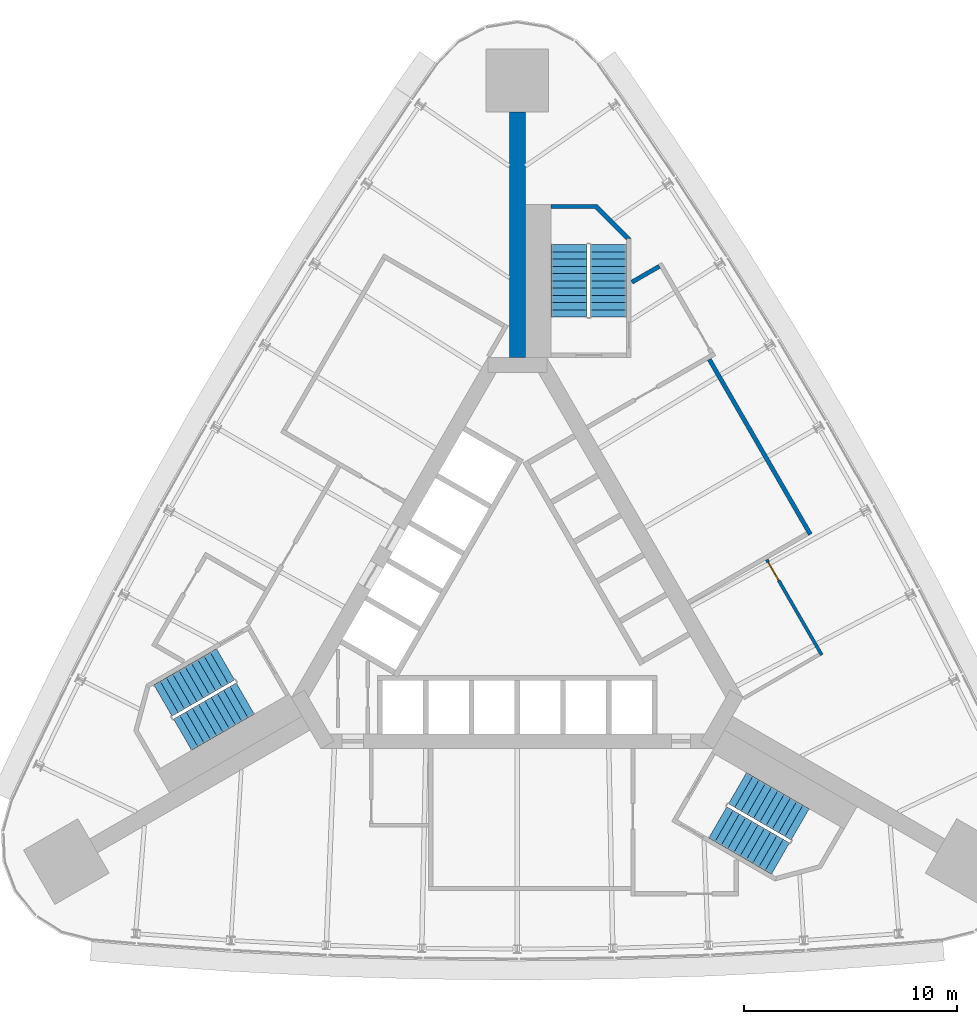
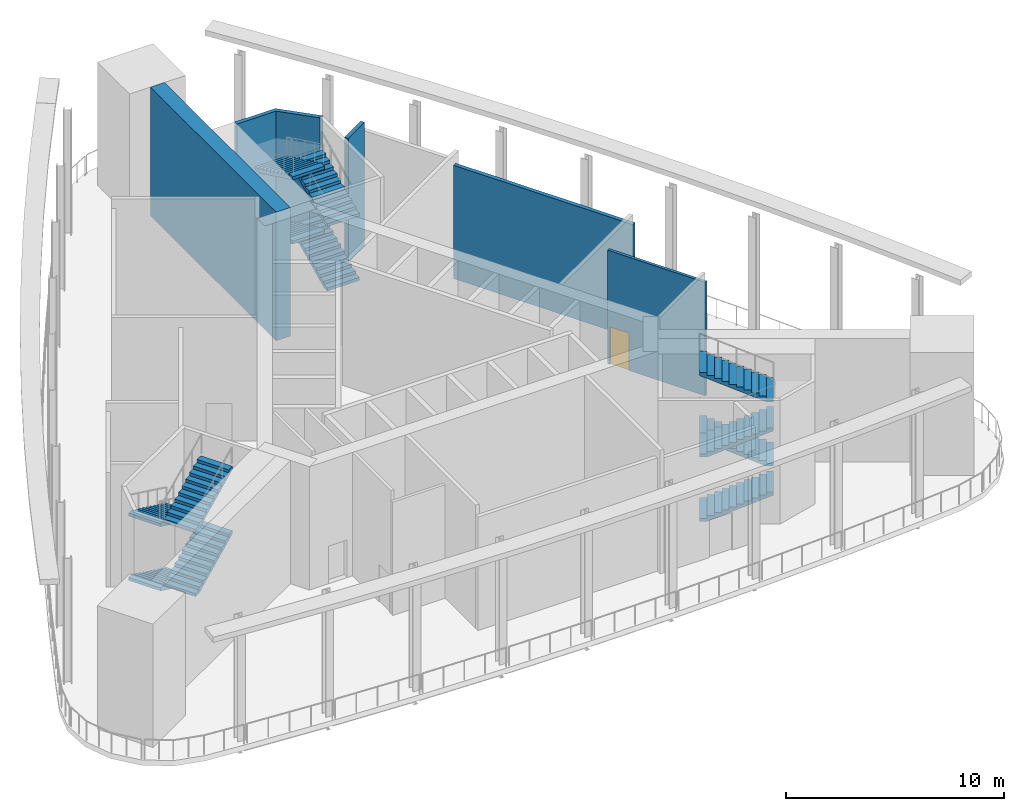
# One storey, part 4 of 7: 12 stair flights, 5 walls, 1 door, 1 opening, 3 elements without a shape of their own.
"""IFC4 building model written with IfcOpenShell, lengths in metres."""

from ifc_helpers import new_model, si_unit, direction, frame, frame_2d, origin, place, context, subcontext, project, spatial, polyline, rectangle, outline, extrude, material, layer, layer_set, type_object, element, fill, aggregate, save


model = new_model("IFC4")

# Units and contexts
model_context = context("Model", 3, precision=1e-05, world=origin(), true_north=direction((0.0, 1.0)))
body_context = subcontext(model_context, "Body", "Model", "MODEL_VIEW")
ifc_project = project(units=[si_unit("LENGTHUNIT", "METRE"), si_unit("AREAUNIT", "SQUARE_METRE"), si_unit("VOLUMEUNIT", "CUBIC_METRE"), si_unit("PLANEANGLEUNIT", "RADIAN"), si_unit("MASSUNIT", "GRAM", prefix="KILO")], contexts=[model_context])

# Site, building, storey
site_placement = place(None, origin())
site = spatial("IfcSite", under=ifc_project, at=site_placement, CompositionType="ELEMENT")
building_placement = place(site_placement, origin())
building = spatial("IfcBuilding", under=site, at=building_placement, Name="Noor Cloister Tower", CompositionType="ELEMENT")
storey_placement = place(building_placement, frame((0.0, 0.0, 127.5)))
storey = spatial("IfcBuildingStorey", under=building, at=storey_placement, Name="L33", CompositionType="ELEMENT", Elevation=127.5)

# Walls
ifc_material_1 = material(Name="Concrete C80/95", Category="concrete")
ifc_layer_1 = layer(ifc_material_1, 0.75)
ifc_layer_set_1 = layer_set([ifc_layer_1], Name="Buttress wall 750 C80/95")
wall_type_1 = type_object("IfcWallType", Name="Buttress wall 750 C80/95", PredefinedType="SHEAR", material=ifc_layer_set_1)
wall_1_placement = place(storey_placement, frame((0.0, 11.456298828125, -0.300048828125), z_axis=(0.0, 0.0, 1.0), x_axis=(0.0, 1.0, 0.0)))
element("IfcWall", 1, at=wall_1_placement, inside=storey, type_object=wall_type_1, Name="Buttress wall N L33", PredefinedType="SHEAR", context=body_context, shape_type="SweptSolid", body=[
    extrude(rectangle(XDim=11.538818359375, YDim=0.75, at=frame_2d((5.76953125, 0.0))), origin(), (0.0, 0.0, 1.0), 7.199951171875),
])
ifc_material_2 = material(Name="Concrete C80/95", Category="concrete")
wall_type_2 = type_object("IfcWallType", Name="Stair far end wall C80/95", PredefinedType="SHEAR", material=ifc_material_2)
wall_2_placement = place(storey_placement, frame((0.0, 0.0, -0.300048828125)))
element("IfcWall", 2, at=wall_2_placement, inside=storey, type_object=wall_type_2, Name="Stair enclosure wall ST1 L33 far end", PredefinedType="SHEAR", context=body_context, shape_type="SweptSolid", body=[
    extrude(outline(polyline([(5.335693359375, 17.056396484375), (3.735595703125, 18.656494140625), (1.585693359375, 18.656494140625), (1.585693359375, 18.456298828125), (3.65283203125, 18.456298828125), (5.135498046875, 16.9736328125), (5.135498046875, 17.056396484375), (5.135498046875, 17.056396484375), (5.135498046875, 17.056396484375), (5.135498046875, 17.056396484375), (5.135498046875, 17.056396484375), (5.135498046875, 17.056396484375), (5.135498046875, 17.056396484375), (5.135498046875, 17.056396484375), (5.135498046875, 17.056396484375), (5.135498046875, 17.056396484375), (5.135498046875, 17.056396484375), (5.135498046875, 17.056396484375), (5.135498046875, 17.056396484375), (5.135498046875, 17.056396484375), (5.135498046875, 17.056396484375), (5.135498046875, 17.056396484375), (5.135498046875, 17.056396484375), (5.335693359375, 17.056396484375)])), origin(), (0.0, 0.0, 1.0), 7.199951171875),
])

# Wall, opening, door
ifc_material_3 = material(Name="Fire-rated gypsum board partition on steel studs, 150 mm", Category="steel")
ifc_layer_2 = layer(ifc_material_3, 0.14990234375)
ifc_layer_set_2 = layer_set([ifc_layer_2], Name="Upper floor corridor wall 150")
wall_type_3 = type_object("IfcWallType", Name="Upper floor corridor wall 150", PredefinedType="PARTITIONING", material=ifc_layer_set_2)
wall_3_placement = place(storey_placement, frame((11.720458984375, 1.955810546875, 0.0), z_axis=(0.0, 0.0, 1.0), x_axis=(0.500020560727, -0.866013532718, 0.0)))
wall_3 = element("IfcWall", 3, at=wall_3_placement, inside=storey, type_object=wall_type_3, Name="Upper floor corridor wall 150 L33 020", PredefinedType="PARTITIONING", context=body_context, shape_type="SweptSolid", body=[
    extrude(rectangle(XDim=5.175048828125, YDim=0.14990234375, at=frame_2d((2.58740234375, 0.0))), origin(), (0.0, 0.0, 1.0), 6.346923828125),
])
opening_placement = place(wall_3_placement, frame((0.12890625, 0.0, 0.0)))
opening = element("IfcOpeningElement", 4, at=opening_placement, cuts=wall_3, Name="Opening L33-009", PredefinedType="OPENING", context=body_context, shape_type="SweptSolid", body=[
    extrude(rectangle(XDim=1.0, YDim=2.10009765625, at=frame_2d((0.5, 1.050048828125))), frame((0.0, 0.0849609375, 0.0), z_axis=(0.0, -1.0, 0.0), x_axis=(1.0, 0.0, 0.0)), (0.0, 0.0, 1.0), 0.169921875),
])
ifc_material_4 = material(Name="Timber door leaf with steel frame", Category="steel")
door_type = type_object("IfcDoorType", Name="Staff room door 1000", OperationType="NOTDEFINED", PredefinedType="DOOR", material=ifc_material_4)
door_placement = place(opening_placement, origin())
door = element("IfcDoor", 5, at=door_placement, inside=storey, type_object=door_type, Name="Staff room door 1000 L33-009", OperationType="SINGLE_SWING_LEFT", OverallHeight=2.10009765625, OverallWidth=1.0, PredefinedType="DOOR", context=body_context, shape_type="SweptSolid", body=[
    extrude(rectangle(XDim=1.0, YDim=2.10009765625, at=frame_2d((0.5, 1.050048828125))), frame((0.0, 0.02490234375, 0.0), z_axis=(0.0, -1.0, 0.0), x_axis=(1.0, 0.0, 0.0)), (0.0, 0.0, 1.0), 0.050048828125),
])
fill(opening, door)

# Walls
ifc_material_5 = material(Name="Concrete block wall, 200 mm", Category="concrete")
ifc_layer_3 = layer(ifc_material_5, 0.199951171875)
ifc_layer_set_3 = layer_set([ifc_layer_3], Name="Upper floor plant room wall 200")
wall_type_4 = type_object("IfcWallType", Name="Upper floor plant room wall 200", PredefinedType="PARTITIONING", material=ifc_layer_set_3)
wall_4_placement = place(storey_placement, frame((9.023681640625, 11.36865234375, 0.0), z_axis=(0.0, 0.0, 1.0), x_axis=(0.499997557548, -0.86602681393, 0.0)))
element("IfcWall", 6, at=wall_4_placement, inside=storey, type_object=wall_type_4, Name="Upper floor plant room wall 200 L33 016", PredefinedType="PARTITIONING", context=body_context, shape_type="SweptSolid", body=[
    extrude(rectangle(XDim=9.5, YDim=0.199951171875, at=frame_2d((4.75, 0.0))), origin(), (0.0, 0.0, 1.0), 6.346923828125),
])
wall_5_placement = place(storey_placement, frame((6.6748046875, 15.738525390625, 0.0), z_axis=(0.0, 0.0, 1.0), x_axis=(-0.866024464444, -0.500001626982, 0.0)))
element("IfcWall", 7, at=wall_5_placement, inside=storey, type_object=wall_type_4, Name="Upper floor plant room wall 200 L33 018", PredefinedType="PARTITIONING", context=body_context, shape_type="SweptSolid", body=[
    extrude(rectangle(XDim=1.48876953125, YDim=0.199951171875, at=frame_2d((0.744384765625, 0.0))), origin(), (0.0, 0.0, 1.0), 6.89990234375),
])

# Stair, stair flights
ifc_material_6 = material(Name="Concrete C40/50", Category="concrete")
stair_type = type_object("IfcStairType", Name="Exit stair 44 risers", PredefinedType="HALF_TURN_STAIR", material=ifc_material_6)
stair_1_placement = place(storey_placement, origin())
stair_1 = element("IfcStair", 8, at=stair_1_placement, inside=storey, type_object=stair_type, Name="Exit stair ST1 L33", PredefinedType="HALF_TURN_STAIR")
ifc_material_7 = material(Name="Concrete C40/50", Category="concrete")
stair_flight_type = type_object("IfcStairFlightType", Name="Exit stair flight", PredefinedType="STRAIGHT", material=ifc_material_7)
stair_flight_1_placement = place(storey_placement, frame((4.28564453125, 13.3564453125, 0.0), z_axis=(0.0, 0.0, 1.0), x_axis=(0.0, 1.0, 0.0)))
stair_flight_1 = element("IfcStairFlight", 9, at=stair_flight_1_placement, type_object=stair_flight_type, Name="ST1 flight 1", NumberOfRisers=11, NumberOfTreads=10, PredefinedType="STRAIGHT", RiserHeight=0.163636364, TreadLength=0.34, context=body_context, shape_type="SweptSolid", body=[
    extrude(outline(polyline([(0.0, 0.0), (0.0, 0.16357421875), (0.340087890625, 0.16357421875), (0.340087890625, 0.327392578125), (0.679931640625, 0.327392578125), (0.679931640625, 0.490966796875), (1.02001953125, 0.490966796875), (1.02001953125, 0.654541015625), (1.360107421875, 0.654541015625), (1.360107421875, 0.818115234375), (1.699951171875, 0.818115234375), (1.699951171875, 0.98193359375), (2.0400390625, 0.98193359375), (2.0400390625, 1.1455078125), (2.3798828125, 1.1455078125), (2.3798828125, 1.30908203125), (2.719970703125, 1.30908203125), (2.719970703125, 1.47265625), (3.06005859375, 1.47265625), (3.06005859375, 1.636474609375), (3.39990234375, 1.636474609375), (3.39990234375, 1.800048828125), (3.39990234375, 1.469970703125), (0.345703125, 0.0), (0.0, 0.0)])), frame((0.0, 0.85009765625, 0.0), z_axis=(0.0, -1.0, 0.0), x_axis=(1.0, 0.0, 0.0)), (0.0, 0.0, 1.0), 1.699951171875),
])
stair_flight_2_placement = place(storey_placement, frame((2.435546875, 16.75634765625, 1.800048828125), z_axis=(0.0, 0.0, 1.0), x_axis=(0.0, -1.0, 0.0)))
stair_flight_2 = element("IfcStairFlight", 10, at=stair_flight_2_placement, type_object=stair_flight_type, Name="ST1 flight 2", NumberOfRisers=11, NumberOfTreads=10, PredefinedType="STRAIGHT", RiserHeight=0.163636364, TreadLength=0.34, context=body_context, shape_type="SweptSolid", body=[
    extrude(outline(polyline([(0.0, 0.0), (0.0, 0.16357421875), (0.340087890625, 0.16357421875), (0.340087890625, 0.327392578125), (0.679931640625, 0.327392578125), (0.679931640625, 0.490966796875), (1.02001953125, 0.490966796875), (1.02001953125, 0.654541015625), (1.360107421875, 0.654541015625), (1.360107421875, 0.818115234375), (1.699951171875, 0.818115234375), (1.699951171875, 0.98193359375), (2.0400390625, 0.98193359375), (2.0400390625, 1.1455078125), (2.3798828125, 1.1455078125), (2.3798828125, 1.30908203125), (2.719970703125, 1.30908203125), (2.719970703125, 1.47265625), (3.06005859375, 1.47265625), (3.06005859375, 1.636474609375), (3.39990234375, 1.636474609375), (3.39990234375, 1.800048828125), (3.39990234375, 1.469970703125), (0.345703125, 0.0), (0.0, 0.0)])), frame((0.0, 0.85009765625, 0.0), z_axis=(0.0, -1.0, 0.0), x_axis=(1.0, 0.0, 0.0)), (0.0, 0.0, 1.0), 1.699951171875),
])
stair_flight_3_placement = place(storey_placement, frame((4.28564453125, 13.3564453125, 3.60009765625), z_axis=(0.0, 0.0, 1.0), x_axis=(0.0, 1.0, 0.0)))
stair_flight_3 = element("IfcStairFlight", 11, at=stair_flight_3_placement, type_object=stair_flight_type, Name="ST1 flight 3", NumberOfRisers=11, NumberOfTreads=10, PredefinedType="STRAIGHT", RiserHeight=0.163636364, TreadLength=0.34, context=body_context, shape_type="SweptSolid", body=[
    extrude(outline(polyline([(0.0, 0.0), (0.0, 0.16357421875), (0.340087890625, 0.16357421875), (0.340087890625, 0.327392578125), (0.679931640625, 0.327392578125), (0.679931640625, 0.490966796875), (1.02001953125, 0.490966796875), (1.02001953125, 0.654541015625), (1.360107421875, 0.654541015625), (1.360107421875, 0.818115234375), (1.699951171875, 0.818115234375), (1.699951171875, 0.98193359375), (2.0400390625, 0.98193359375), (2.0400390625, 1.1455078125), (2.3798828125, 1.1455078125), (2.3798828125, 1.30908203125), (2.719970703125, 1.30908203125), (2.719970703125, 1.47265625), (3.06005859375, 1.47265625), (3.06005859375, 1.636474609375), (3.39990234375, 1.636474609375), (3.39990234375, 1.800048828125), (3.39990234375, 1.469970703125), (0.345703125, 0.0), (0.0, 0.0)])), frame((0.0, 0.85009765625, 0.0), z_axis=(0.0, -1.0, 0.0), x_axis=(1.0, 0.0, 0.0)), (0.0, 0.0, 1.0), 1.699951171875),
])
stair_flight_4_placement = place(storey_placement, frame((2.435546875, 16.75634765625, 5.39990234375), z_axis=(0.0, 0.0, 1.0), x_axis=(0.0, -1.0, 0.0)))
stair_flight_4 = element("IfcStairFlight", 12, at=stair_flight_4_placement, type_object=stair_flight_type, Name="ST1 flight 4", NumberOfRisers=11, NumberOfTreads=10, PredefinedType="STRAIGHT", RiserHeight=0.163636364, TreadLength=0.34, context=body_context, shape_type="SweptSolid", body=[
    extrude(outline(polyline([(0.0, 0.0), (0.0, 0.16357421875), (0.340087890625, 0.16357421875), (0.340087890625, 0.327392578125), (0.679931640625, 0.327392578125), (0.679931640625, 0.490966796875), (1.02001953125, 0.490966796875), (1.02001953125, 0.654541015625), (1.360107421875, 0.654541015625), (1.360107421875, 0.818115234375), (1.699951171875, 0.818115234375), (1.699951171875, 0.98193359375), (2.0400390625, 0.98193359375), (2.0400390625, 1.1455078125), (2.3798828125, 1.1455078125), (2.3798828125, 1.30908203125), (2.719970703125, 1.30908203125), (2.719970703125, 1.47265625), (3.06005859375, 1.47265625), (3.06005859375, 1.636474609375), (3.39990234375, 1.636474609375), (3.39990234375, 1.800048828125), (3.39990234375, 1.469970703125), (0.345703125, 0.0), (0.0, 0.0)])), frame((0.0, 0.85009765625, 0.0), z_axis=(0.0, -1.0, 0.0), x_axis=(1.0, 0.0, 0.0)), (0.0, 0.0, 1.0), 1.699951171875),
])
aggregate(stair_1, [stair_flight_1, stair_flight_2, stair_flight_3, stair_flight_4])

stair_2_placement = place(storey_placement, origin())
stair_2 = element("IfcStair", 13, at=stair_2_placement, inside=storey, type_object=stair_type, Name="Exit stair ST2 L33", PredefinedType="HALF_TURN_STAIR")
stair_flight_5_placement = place(storey_placement, frame((-13.709716796875, -2.966796875, 0.0), z_axis=(0.0, 0.0, 1.0), x_axis=(-0.866025403784, -0.5, 0.0)))
stair_flight_5 = element("IfcStairFlight", 14, at=stair_flight_5_placement, type_object=stair_flight_type, Name="ST2 flight 1", NumberOfRisers=11, NumberOfTreads=10, PredefinedType="STRAIGHT", RiserHeight=0.163636364, TreadLength=0.34, context=body_context, shape_type="SweptSolid", body=[
    extrude(outline(polyline([(0.0, 0.0), (0.0, 0.16357421875), (0.340087890625, 0.16357421875), (0.340087890625, 0.327392578125), (0.679931640625, 0.327392578125), (0.679931640625, 0.490966796875), (1.02001953125, 0.490966796875), (1.02001953125, 0.654541015625), (1.360107421875, 0.654541015625), (1.360107421875, 0.818115234375), (1.699951171875, 0.818115234375), (1.699951171875, 0.98193359375), (2.0400390625, 0.98193359375), (2.0400390625, 1.1455078125), (2.3798828125, 1.1455078125), (2.3798828125, 1.30908203125), (2.719970703125, 1.30908203125), (2.719970703125, 1.47265625), (3.06005859375, 1.47265625), (3.06005859375, 1.636474609375), (3.39990234375, 1.636474609375), (3.39990234375, 1.800048828125), (3.39990234375, 1.469970703125), (0.345703125, 0.0), (0.0, 0.0)])), frame((0.0, 0.85009765625, 0.0), z_axis=(0.0, -1.0, 0.0), x_axis=(1.0, 0.0, 0.0)), (0.0, 0.0, 1.0), 1.699951171875),
])
stair_flight_6_placement = place(storey_placement, frame((-15.729248046875, -6.268798828125, 1.800048828125), z_axis=(0.0, 0.0, 1.0), x_axis=(0.866025403784, 0.5, 0.0)))
stair_flight_6 = element("IfcStairFlight", 15, at=stair_flight_6_placement, type_object=stair_flight_type, Name="ST2 flight 2", NumberOfRisers=11, NumberOfTreads=10, PredefinedType="STRAIGHT", RiserHeight=0.163636364, TreadLength=0.34, context=body_context, shape_type="SweptSolid", body=[
    extrude(outline(polyline([(0.0, 0.0), (0.0, 0.16357421875), (0.340087890625, 0.16357421875), (0.340087890625, 0.327392578125), (0.679931640625, 0.327392578125), (0.679931640625, 0.490966796875), (1.02001953125, 0.490966796875), (1.02001953125, 0.654541015625), (1.360107421875, 0.654541015625), (1.360107421875, 0.818115234375), (1.699951171875, 0.818115234375), (1.699951171875, 0.98193359375), (2.0400390625, 0.98193359375), (2.0400390625, 1.1455078125), (2.3798828125, 1.1455078125), (2.3798828125, 1.30908203125), (2.719970703125, 1.30908203125), (2.719970703125, 1.47265625), (3.06005859375, 1.47265625), (3.06005859375, 1.636474609375), (3.39990234375, 1.636474609375), (3.39990234375, 1.800048828125), (3.39990234375, 1.469970703125), (0.345703125, 0.0), (0.0, 0.0)])), frame((0.0, 0.85009765625, 0.0), z_axis=(0.0, -1.0, 0.0), x_axis=(1.0, 0.0, 0.0)), (0.0, 0.0, 1.0), 1.699951171875),
])
stair_flight_7_placement = place(storey_placement, frame((-13.709716796875, -2.966796875, 3.60009765625), z_axis=(0.0, 0.0, 1.0), x_axis=(-0.866025403784, -0.5, 0.0)))
stair_flight_7 = element("IfcStairFlight", 16, at=stair_flight_7_placement, type_object=stair_flight_type, Name="ST2 flight 3", NumberOfRisers=11, NumberOfTreads=10, PredefinedType="STRAIGHT", RiserHeight=0.163636364, TreadLength=0.34, context=body_context, shape_type="SweptSolid", body=[
    extrude(outline(polyline([(0.0, 0.0), (0.0, 0.16357421875), (0.340087890625, 0.16357421875), (0.340087890625, 0.327392578125), (0.679931640625, 0.327392578125), (0.679931640625, 0.490966796875), (1.02001953125, 0.490966796875), (1.02001953125, 0.654541015625), (1.360107421875, 0.654541015625), (1.360107421875, 0.818115234375), (1.699951171875, 0.818115234375), (1.699951171875, 0.98193359375), (2.0400390625, 0.98193359375), (2.0400390625, 1.1455078125), (2.3798828125, 1.1455078125), (2.3798828125, 1.30908203125), (2.719970703125, 1.30908203125), (2.719970703125, 1.47265625), (3.06005859375, 1.47265625), (3.06005859375, 1.636474609375), (3.39990234375, 1.636474609375), (3.39990234375, 1.800048828125), (3.39990234375, 1.469970703125), (0.345703125, 0.0), (0.0, 0.0)])), frame((0.0, 0.85009765625, 0.0), z_axis=(0.0, -1.0, 0.0), x_axis=(1.0, 0.0, 0.0)), (0.0, 0.0, 1.0), 1.699951171875),
])
stair_flight_8_placement = place(storey_placement, frame((-15.729248046875, -6.268798828125, 5.39990234375), z_axis=(0.0, 0.0, 1.0), x_axis=(0.866025403784, 0.5, 0.0)))
stair_flight_8 = element("IfcStairFlight", 17, at=stair_flight_8_placement, type_object=stair_flight_type, Name="ST2 flight 4", NumberOfRisers=11, NumberOfTreads=10, PredefinedType="STRAIGHT", RiserHeight=0.163636364, TreadLength=0.34, context=body_context, shape_type="SweptSolid", body=[
    extrude(outline(polyline([(0.0, 0.0), (0.0, 0.16357421875), (0.340087890625, 0.16357421875), (0.340087890625, 0.327392578125), (0.679931640625, 0.327392578125), (0.679931640625, 0.490966796875), (1.02001953125, 0.490966796875), (1.02001953125, 0.654541015625), (1.360107421875, 0.654541015625), (1.360107421875, 0.818115234375), (1.699951171875, 0.818115234375), (1.699951171875, 0.98193359375), (2.0400390625, 0.98193359375), (2.0400390625, 1.1455078125), (2.3798828125, 1.1455078125), (2.3798828125, 1.30908203125), (2.719970703125, 1.30908203125), (2.719970703125, 1.47265625), (3.06005859375, 1.47265625), (3.06005859375, 1.636474609375), (3.39990234375, 1.636474609375), (3.39990234375, 1.800048828125), (3.39990234375, 1.469970703125), (0.345703125, 0.0), (0.0, 0.0)])), frame((0.0, 0.85009765625, 0.0), z_axis=(0.0, -1.0, 0.0), x_axis=(1.0, 0.0, 0.0)), (0.0, 0.0, 1.0), 1.699951171875),
])
aggregate(stair_2, [stair_flight_5, stair_flight_6, stair_flight_7, stair_flight_8])

stair_3_placement = place(storey_placement, origin())
stair_3 = element("IfcStair", 18, at=stair_3_placement, inside=storey, type_object=stair_type, Name="Exit stair ST3 L33", PredefinedType="HALF_TURN_STAIR")
stair_flight_9_placement = place(storey_placement, frame((9.424072265625, -10.3896484375, 0.0), z_axis=(0.0, 0.0, 1.0), x_axis=(0.866025403784, -0.5, 0.0)))
stair_flight_9 = element("IfcStairFlight", 19, at=stair_flight_9_placement, type_object=stair_flight_type, Name="ST3 flight 1", NumberOfRisers=11, NumberOfTreads=10, PredefinedType="STRAIGHT", RiserHeight=0.163636364, TreadLength=0.34, context=body_context, shape_type="SweptSolid", body=[
    extrude(outline(polyline([(0.0, 0.0), (0.0, 0.16357421875), (0.340087890625, 0.16357421875), (0.340087890625, 0.327392578125), (0.679931640625, 0.327392578125), (0.679931640625, 0.490966796875), (1.02001953125, 0.490966796875), (1.02001953125, 0.654541015625), (1.360107421875, 0.654541015625), (1.360107421875, 0.818115234375), (1.699951171875, 0.818115234375), (1.699951171875, 0.98193359375), (2.0400390625, 0.98193359375), (2.0400390625, 1.1455078125), (2.3798828125, 1.1455078125), (2.3798828125, 1.30908203125), (2.719970703125, 1.30908203125), (2.719970703125, 1.47265625), (3.06005859375, 1.47265625), (3.06005859375, 1.636474609375), (3.39990234375, 1.636474609375), (3.39990234375, 1.800048828125), (3.39990234375, 1.469970703125), (0.345703125, 0.0), (0.0, 0.0)])), frame((0.0, 0.85009765625, 0.0), z_axis=(0.0, -1.0, 0.0), x_axis=(1.0, 0.0, 0.0)), (0.0, 0.0, 1.0), 1.699951171875),
])
stair_flight_10_placement = place(storey_placement, frame((13.293701171875, -10.487548828125, 1.800048828125), z_axis=(0.0, 0.0, 1.0), x_axis=(-0.866025403784, 0.5, 0.0)))
stair_flight_10 = element("IfcStairFlight", 20, at=stair_flight_10_placement, type_object=stair_flight_type, Name="ST3 flight 2", NumberOfRisers=11, NumberOfTreads=10, PredefinedType="STRAIGHT", RiserHeight=0.163636364, TreadLength=0.34, context=body_context, shape_type="SweptSolid", body=[
    extrude(outline(polyline([(0.0, 0.0), (0.0, 0.16357421875), (0.340087890625, 0.16357421875), (0.340087890625, 0.327392578125), (0.679931640625, 0.327392578125), (0.679931640625, 0.490966796875), (1.02001953125, 0.490966796875), (1.02001953125, 0.654541015625), (1.360107421875, 0.654541015625), (1.360107421875, 0.818115234375), (1.699951171875, 0.818115234375), (1.699951171875, 0.98193359375), (2.0400390625, 0.98193359375), (2.0400390625, 1.1455078125), (2.3798828125, 1.1455078125), (2.3798828125, 1.30908203125), (2.719970703125, 1.30908203125), (2.719970703125, 1.47265625), (3.06005859375, 1.47265625), (3.06005859375, 1.636474609375), (3.39990234375, 1.636474609375), (3.39990234375, 1.800048828125), (3.39990234375, 1.469970703125), (0.345703125, 0.0), (0.0, 0.0)])), frame((0.0, 0.85009765625, 0.0), z_axis=(0.0, -1.0, 0.0), x_axis=(1.0, 0.0, 0.0)), (0.0, 0.0, 1.0), 1.699951171875),
])
stair_flight_11_placement = place(storey_placement, frame((9.424072265625, -10.3896484375, 3.60009765625), z_axis=(0.0, 0.0, 1.0), x_axis=(0.866025403784, -0.5, 0.0)))
stair_flight_11 = element("IfcStairFlight", 21, at=stair_flight_11_placement, type_object=stair_flight_type, Name="ST3 flight 3", NumberOfRisers=11, NumberOfTreads=10, PredefinedType="STRAIGHT", RiserHeight=0.163636364, TreadLength=0.34, context=body_context, shape_type="SweptSolid", body=[
    extrude(outline(polyline([(0.0, 0.0), (0.0, 0.16357421875), (0.340087890625, 0.16357421875), (0.340087890625, 0.327392578125), (0.679931640625, 0.327392578125), (0.679931640625, 0.490966796875), (1.02001953125, 0.490966796875), (1.02001953125, 0.654541015625), (1.360107421875, 0.654541015625), (1.360107421875, 0.818115234375), (1.699951171875, 0.818115234375), (1.699951171875, 0.98193359375), (2.0400390625, 0.98193359375), (2.0400390625, 1.1455078125), (2.3798828125, 1.1455078125), (2.3798828125, 1.30908203125), (2.719970703125, 1.30908203125), (2.719970703125, 1.47265625), (3.06005859375, 1.47265625), (3.06005859375, 1.636474609375), (3.39990234375, 1.636474609375), (3.39990234375, 1.800048828125), (3.39990234375, 1.469970703125), (0.345703125, 0.0), (0.0, 0.0)])), frame((0.0, 0.85009765625, 0.0), z_axis=(0.0, -1.0, 0.0), x_axis=(1.0, 0.0, 0.0)), (0.0, 0.0, 1.0), 1.699951171875),
])
stair_flight_12_placement = place(storey_placement, frame((13.293701171875, -10.487548828125, 5.39990234375), z_axis=(0.0, 0.0, 1.0), x_axis=(-0.866025403784, 0.5, 0.0)))
stair_flight_12 = element("IfcStairFlight", 22, at=stair_flight_12_placement, type_object=stair_flight_type, Name="ST3 flight 4", NumberOfRisers=11, NumberOfTreads=10, PredefinedType="STRAIGHT", RiserHeight=0.163636364, TreadLength=0.34, context=body_context, shape_type="SweptSolid", body=[
    extrude(outline(polyline([(0.0, 0.0), (0.0, 0.16357421875), (0.340087890625, 0.16357421875), (0.340087890625, 0.327392578125), (0.679931640625, 0.327392578125), (0.679931640625, 0.490966796875), (1.02001953125, 0.490966796875), (1.02001953125, 0.654541015625), (1.360107421875, 0.654541015625), (1.360107421875, 0.818115234375), (1.699951171875, 0.818115234375), (1.699951171875, 0.98193359375), (2.0400390625, 0.98193359375), (2.0400390625, 1.1455078125), (2.3798828125, 1.1455078125), (2.3798828125, 1.30908203125), (2.719970703125, 1.30908203125), (2.719970703125, 1.47265625), (3.06005859375, 1.47265625), (3.06005859375, 1.636474609375), (3.39990234375, 1.636474609375), (3.39990234375, 1.800048828125), (3.39990234375, 1.469970703125), (0.345703125, 0.0), (0.0, 0.0)])), frame((0.0, 0.85009765625, 0.0), z_axis=(0.0, -1.0, 0.0), x_axis=(1.0, 0.0, 0.0)), (0.0, 0.0, 1.0), 1.699951171875),
])
aggregate(stair_3, [stair_flight_9, stair_flight_10, stair_flight_11, stair_flight_12])

save(model, "model.ifc")
